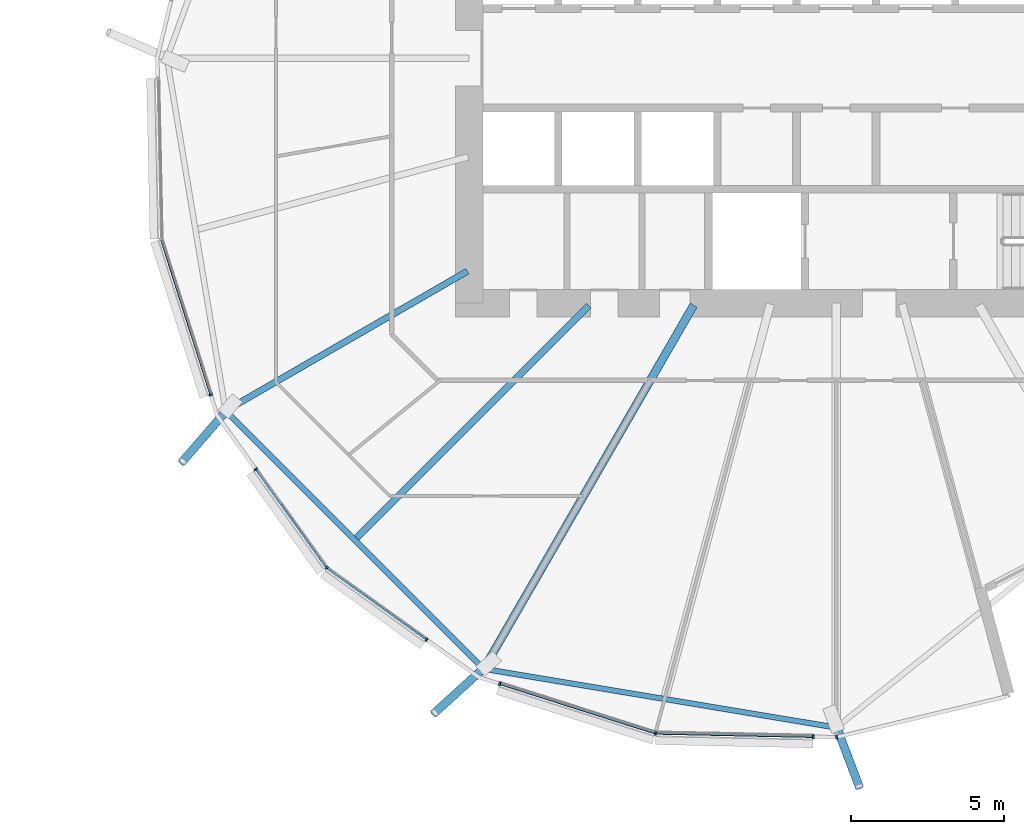
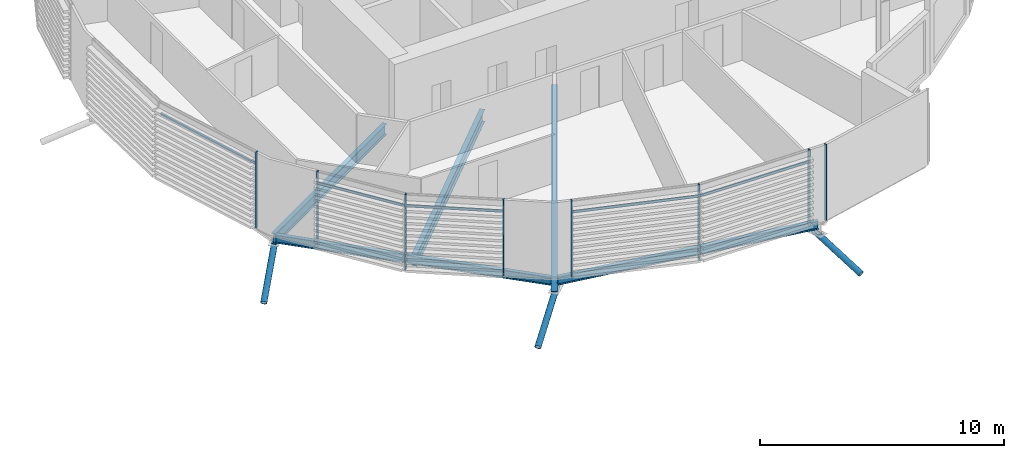
# One storey, part 11 of 38: 16 members, 5 beams, 1 element without a shape of its own.
"""IFC4 building model written with IfcOpenShell, lengths in metres."""

from ifc_helpers import new_model, si_unit, direction, frame, origin, origin_2d, place, context, subcontext, project, spatial, rectangle, hollow_circle, i_section, extrude, clip, halfspace, material, material_profile, profile_set, type_object, element, aggregate, save


model = new_model("IFC4")

# Units and contexts
model_context = context("Model", 3, precision=1e-05, world=origin(), true_north=direction((0.0, 1.0)))
body_context = subcontext(model_context, "Body", "Model", "MODEL_VIEW")
ifc_project = project(units=[si_unit("LENGTHUNIT", "METRE"), si_unit("AREAUNIT", "SQUARE_METRE"), si_unit("VOLUMEUNIT", "CUBIC_METRE"), si_unit("PLANEANGLEUNIT", "RADIAN"), si_unit("MASSUNIT", "GRAM", prefix="KILO")], contexts=[model_context])

# Site, building, storey
site_placement = place(None, origin())
site = spatial("IfcSite", under=ifc_project, at=site_placement, CompositionType="ELEMENT")
building_placement = place(site_placement, origin())
building = spatial("IfcBuilding", under=site, at=building_placement, Name="Rimbun Link Towers", CompositionType="ELEMENT")
storey_placement = place(building_placement, frame((0.0, 0.0, 68.0)))
storey = spatial("IfcBuildingStorey", under=building, at=storey_placement, Name="L16", CompositionType="ELEMENT", Elevation=68.0)

# Curtain wall, members
ifc_material_1 = material(Name="Aluminium 6063-T6 and low-iron glass", Category="aluminium")
curtain_wall_type = type_object("IfcCurtainWallType", Name="CW1 unitised vision wall", PredefinedType="NOTDEFINED", material=ifc_material_1)
curtain_wall_placement = place(storey_placement, origin())
curtain_wall = element("IfcCurtainWall", 1, at=curtain_wall_placement, inside=storey, type_object=curtain_wall_type, Name="CW1 L16 T2", PredefinedType="NOTDEFINED")
ifc_material_2 = material(Name="Aluminium 6063-T6", Category="aluminium")
ifc_material_profile_1 = material_profile(ifc_material_2, rectangle(XDim=0.1201171875, YDim=0.06005859375, at=origin_2d()), Name="MULLION 60X120")
ifc_profile_set_1 = profile_set([ifc_material_profile_1], Name="Aluminium 6063-T6")
member_type_1 = type_object("IfcMemberType", Name="CW1 mullion 60X120", PredefinedType="MULLION", material=ifc_profile_set_1)
member_1_placement = place(storey_placement, frame((11.30517578125, -10.99951171875, 0.0), z_axis=(0.0, 0.0, 1.0), x_axis=(-0.952969504125, -0.30306620433, 0.0)))
member_1 = element("IfcMember", 2, at=member_1_placement, type_object=member_type_1, Name="CW1 mullion", PredefinedType="MULLION", context=body_context, shape_type="SweptSolid", body=[
    extrude(rectangle(XDim=0.1201171875, YDim=0.06005859375, at=origin_2d()), origin(), (0.0, 0.0, 1.0), 3.800048828125),
])
member_2_placement = place(storey_placement, frame((15.094482421875, -16.655517578125, 0.0), z_axis=(0.0, 0.0, 1.0), x_axis=(-0.707106781187, -0.707106781187, 0.0)))
member_2 = element("IfcMember", 3, at=member_2_placement, type_object=member_type_1, Name="CW1 mullion", PredefinedType="MULLION", context=body_context, shape_type="SweptSolid", body=[
    extrude(rectangle(XDim=0.1201171875, YDim=0.06005859375, at=origin_2d()), origin(), (0.0, 0.0, 1.0), 3.800048828125),
])
member_3_placement = place(storey_placement, frame((12.779296875, -13.43017578125, 0.0), z_axis=(0.0, 0.0, 1.0), x_axis=(-0.812471013588, -0.583001588402, 0.0)))
member_3 = element("IfcMember", 4, at=member_3_placement, type_object=member_type_1, Name="CW1 mullion", PredefinedType="MULLION", context=body_context, shape_type="SweptSolid", body=[
    extrude(rectangle(XDim=0.1201171875, YDim=0.06005859375, at=origin_2d()), origin(), (0.0, 0.0, 1.0), 3.800048828125),
])
member_4_placement = place(storey_placement, frame((18.360595703125, -19.0, 0.0), z_axis=(0.0, 0.0, 1.0), x_axis=(-0.583001588402, -0.812471013588, 0.0)))
member_4 = element("IfcMember", 5, at=member_4_placement, type_object=member_type_1, Name="CW1 mullion", PredefinedType="MULLION", context=body_context, shape_type="SweptSolid", body=[
    extrude(rectangle(XDim=0.1201171875, YDim=0.06005859375, at=origin_2d()), origin(), (0.0, 0.0, 1.0), 3.800048828125),
])
member_5_placement = place(storey_placement, frame((25.843994140625, -22.06396484375, 0.0), z_axis=(0.0, 0.0, 1.0), x_axis=(-0.16374422533, -0.986502827503, 0.0)))
member_5 = element("IfcMember", 6, at=member_5_placement, type_object=member_type_1, Name="CW1 mullion", PredefinedType="MULLION", context=body_context, shape_type="SweptSolid", body=[
    extrude(rectangle(XDim=0.1201171875, YDim=0.06005859375, at=origin_2d()), origin(), (0.0, 0.0, 1.0), 3.800048828125),
])
member_6_placement = place(storey_placement, frame((20.75048828125, -20.44482421875, 0.0), z_axis=(0.0, 0.0, 1.0), x_axis=(-0.30306620433, -0.952969504125, 0.0)))
member_6 = element("IfcMember", 7, at=member_6_placement, type_object=member_type_1, Name="CW1 mullion", PredefinedType="MULLION", context=body_context, shape_type="SweptSolid", body=[
    extrude(rectangle(XDim=0.1201171875, YDim=0.06005859375, at=origin_2d()), origin(), (0.0, 0.0, 1.0), 3.800048828125),
])
member_7_placement = place(storey_placement, frame((30.9990234375, -22.173095703125, 0.0), z_axis=(0.0, 0.0, 1.0), x_axis=(-0.021059742681, -0.999778219026, 0.0)))
member_7 = element("IfcMember", 8, at=member_7_placement, type_object=member_type_1, Name="CW1 mullion", PredefinedType="MULLION", context=body_context, shape_type="SweptSolid", body=[
    extrude(rectangle(XDim=0.1201171875, YDim=0.06005859375, at=origin_2d()), origin(), (0.0, 0.0, 1.0), 3.800048828125),
])
member_8_placement = place(storey_placement, frame((31.763916015625, -22.187255859375, 0.0), z_axis=(0.0, 0.0, 1.0), x_axis=(0.232601207201, -0.972572197016, 0.0)))
member_8 = element("IfcMember", 9, at=member_8_placement, type_object=member_type_1, Name="CW1 mullion", PredefinedType="MULLION", context=body_context, shape_type="SweptSolid", body=[
    extrude(rectangle(XDim=0.1201171875, YDim=0.06005859375, at=origin_2d()), origin(), (0.0, 0.0, 1.0), 3.800048828125),
])
ifc_material_3 = material(Name="Aluminium 6063-T6", Category="aluminium")
ifc_material_profile_2 = material_profile(ifc_material_3, rectangle(XDim=0.06005859375, YDim=0.1201171875, at=origin_2d()), Name="TRANSOM 60X120")
ifc_profile_set_2 = profile_set([ifc_material_profile_2], Name="Aluminium 6063-T6")
member_type_2 = type_object("IfcMemberType", Name="CW1 transom 60X120", PredefinedType="USERDEFINED", material=ifc_profile_set_2)
member_9_placement = place(storey_placement, frame((11.298095703125, -10.97021484375, 3.199951171875), z_axis=(-0.303092876112, 0.952961021475, 0.0), x_axis=(-0.952961021475, -0.303092876112, 0.0)))
member_9 = element("IfcMember", 10, at=member_9_placement, type_object=member_type_2, Name="CW1 transom", ObjectType="TRANSOM", PredefinedType="USERDEFINED", context=body_context, shape_type="SweptSolid", body=[
    extrude(rectangle(XDim=0.06005859375, YDim=0.1201171875, at=origin_2d()), origin(), (0.0, 0.0, 1.0), 5.276123046875),
])
member_10_placement = place(storey_placement, frame((15.072265625, -16.62255859375, 3.199951171875), z_axis=(-0.582971655835, 0.812492491346, 0.0), x_axis=(-0.812492491346, -0.582971655835, 0.0)))
member_10 = element("IfcMember", 11, at=member_10_placement, type_object=member_type_2, Name="CW1 transom", ObjectType="TRANSOM", PredefinedType="USERDEFINED", context=body_context, shape_type="SweptSolid", body=[
    extrude(rectangle(XDim=0.06005859375, YDim=0.1201171875, at=origin_2d()), origin(), (0.0, 0.0, 1.0), 3.900634765625),
])
member_11_placement = place(storey_placement, frame((18.33740234375, -18.980712890625, 3.199951171875), z_axis=(-0.812516616043, 0.582938031574, 0.0), x_axis=(-0.582938031574, -0.812516616043, 0.0)))
member_11 = element("IfcMember", 12, at=member_11_placement, type_object=member_type_2, Name="CW1 transom", ObjectType="TRANSOM", PredefinedType="USERDEFINED", context=body_context, shape_type="SweptSolid", body=[
    extrude(rectangle(XDim=0.06005859375, YDim=0.1201171875, at=origin_2d()), origin(), (0.0, 0.0, 1.0), 3.95068359375),
])
member_12_placement = place(storey_placement, frame((25.8076171875, -22.051025390625, 3.199951171875), z_axis=(-0.952961021475, 0.303092876112, 0.0), x_axis=(-0.303092876112, -0.952961021475, 0.0)))
member_12 = element("IfcMember", 13, at=member_12_placement, type_object=member_type_2, Name="CW1 transom", ObjectType="TRANSOM", PredefinedType="USERDEFINED", context=body_context, shape_type="SweptSolid", body=[
    extrude(rectangle(XDim=0.06005859375, YDim=0.1201171875, at=origin_2d()), origin(), (0.0, 0.0, 1.0), 5.276123046875),
])
member_13_placement = place(storey_placement, frame((30.968994140625, -22.170654296875, 3.199951171875), z_axis=(-0.999778073515, 0.021066649432, 0.0), x_axis=(-0.021066649432, -0.999778073515, 0.0)))
member_13 = element("IfcMember", 14, at=member_13_placement, type_object=member_type_2, Name="CW1 transom", ObjectType="TRANSOM", PredefinedType="USERDEFINED", context=body_context, shape_type="SweptSolid", body=[
    extrude(rectangle(XDim=0.06005859375, YDim=0.1201171875, at=origin_2d()), origin(), (0.0, 0.0, 1.0), 5.087646484375),
])
aggregate(curtain_wall, [member_1, member_2, member_3, member_4, member_5, member_6, member_7, member_8, member_9, member_10, member_11, member_12, member_13])

# Members
ifc_material_4 = material(Name="Steel S355J2H", Category="steel")
ifc_material_profile_3 = material_profile(ifc_material_4, hollow_circle(Radius=0.136474609375, WallThickness=0.012451171875, at=origin_2d()), Name="CHS 273x12.5")
ifc_profile_set_3 = profile_set([ifc_material_profile_3], Name="Steel S355J2H")
member_type_3 = type_object("IfcMemberType", Name="Floor edge link CHS 273x12.5", PredefinedType="BRACE", material=ifc_profile_set_3)
member_14_placement = place(storey_placement, frame((11.839599609375, -11.495361328125, -0.811279296875), z_axis=(-0.566942336147, -0.656518849675, -0.497553401663), x_axis=(0.756852214071, -0.653586050995, 0.0)))
element("IfcMember", 15, at=member_14_placement, inside=storey, type_object=member_type_3, Name="Floor edge link T2 L16 11", PredefinedType="BRACE", context=body_context, shape_type="Clipping", body=[
    clip(extrude(hollow_circle(Radius=0.136474609375, WallThickness=0.012451171875, at=origin_2d()), frame((0.0, 0.0, -0.495849609375)), (0.0, 0.0, 1.0), 3.095947265625), halfspace(frame((0.0, 0.0, -0.2333984375), z_axis=(0.0, 0.86743334758, -0.497553401663)), False)),
])
member_15_placement = place(storey_placement, frame((20.254638671875, -19.910400390625, -1.042236328125), z_axis=(-0.653362111929, -0.593219588919, -0.470328045112), x_axis=(0.672209852855, -0.740360664625, 0.0)))
element("IfcMember", 16, at=member_15_placement, inside=storey, type_object=member_type_3, Name="Floor edge link T2 L16 13", PredefinedType="BRACE", context=body_context, shape_type="Clipping", body=[
    clip(extrude(hollow_circle(Radius=0.136474609375, WallThickness=0.012451171875, at=origin_2d()), frame((0.0, 0.0, -0.533447265625)), (0.0, 0.0, 1.0), 3.0625), halfspace(frame((0.0, 0.0, -0.2509765625), z_axis=(0.0, 0.882491660007, -0.470328045112)), False)),
])
member_16_placement = place(storey_placement, frame((31.75, -21.822021484375, -1.04736328125), z_axis=(0.326001505609, -0.858963144157, -0.394848496668), x_axis=(0.934929691224, 0.354833020544, 0.0)))
element("IfcMember", 17, at=member_16_placement, inside=storey, type_object=member_type_3, Name="Floor edge link T2 L16 15", PredefinedType="BRACE", context=body_context, shape_type="Clipping", body=[
    clip(extrude(hollow_circle(Radius=0.136474609375, WallThickness=0.012451171875, at=origin_2d()), frame((0.0, 0.0, -0.660400390625)), (0.0, 0.0, 1.0), 2.990234375), halfspace(frame((0.0, 0.0, -0.31201171875), z_axis=(0.0, 0.918746246076, -0.394848496668)), False)),
])

# Beams
ifc_material_5 = material(Name="Steel S355J2", Category="steel")
ifc_material_profile_4 = material_profile(ifc_material_5, i_section(OverallWidth=0.177978515625, OverallDepth=0.406494140625, WebThickness=0.0078125, FlangeThickness=0.0126953125, at=origin_2d()), Name="UB 406x178x60")
ifc_profile_set_4 = profile_set([ifc_material_profile_4], Name="Steel S355J2")
beam_type_1 = type_object("IfcBeamType", Name="UB 406x178x60", PredefinedType="BEAM", material=ifc_profile_set_4)
beam_1_placement = place(storey_placement, frame((11.87353515625, -11.59765625, -0.36328125), z_axis=(0.707106781187, -0.707106781187, 0.0), x_axis=(0.707106781187, 0.707106781187, 0.0)))
element("IfcBeam", 18, at=beam_1_placement, inside=storey, type_object=beam_type_1, Name="Edge beam T2 L16 11-13", PredefinedType="BEAM", context=body_context, shape_type="SweptSolid", body=[
    extrude(i_section(OverallWidth=0.177978515625, OverallDepth=0.406494140625, WebThickness=0.0078125, FlangeThickness=0.0126953125, at=origin_2d()), origin(), (0.0, 0.0, 1.0), 11.67822265625),
])
beam_2_placement = place(storey_placement, frame((20.37109375, -19.977294921875, -0.36328125), z_axis=(0.986419380736, -0.164246172888, 0.0), x_axis=(0.164246172888, 0.986419380736, 0.0)))
element("IfcBeam", 19, at=beam_2_placement, inside=storey, type_object=beam_type_1, Name="Edge beam T2 L16 13-15", PredefinedType="BEAM", context=body_context, shape_type="SweptSolid", body=[
    extrude(i_section(OverallWidth=0.177978515625, OverallDepth=0.406494140625, WebThickness=0.0078125, FlangeThickness=0.0126953125, at=origin_2d()), origin(), (0.0, 0.0, 1.0), 11.3994140625),
])
ifc_material_6 = material(Name="Steel S355J2", Category="steel")
ifc_material_profile_5 = material_profile(ifc_material_6, i_section(OverallWidth=0.209228515625, OverallDepth=0.533203125, WebThickness=0.010009765625, FlangeThickness=0.015625, at=origin_2d()), Name="UB 533x210x92")
ifc_profile_set_5 = profile_set([ifc_material_profile_5], Name="Steel S355J2")
beam_type_2 = type_object("IfcBeamType", Name="UB 533x210x92", PredefinedType="BEAM", material=ifc_profile_set_5)
beam_3_placement = place(storey_placement, frame((19.69677734375, -6.958984375, -0.426513671875), z_axis=(-0.866021140091, -0.50000738486, 0.0), x_axis=(0.50000738486, -0.866021140091, 0.0)))
element("IfcBeam", 20, at=beam_3_placement, inside=storey, type_object=beam_type_2, Name="Radial beam T2 L16 11", PredefinedType="BEAM", context=body_context, shape_type="SweptSolid", body=[
    extrude(i_section(OverallWidth=0.209228515625, OverallDepth=0.533203125, WebThickness=0.010009765625, FlangeThickness=0.015625, at=origin_2d()), origin(), (0.0, 0.0, 1.0), 9.122802734375),
])
ifc_material_7 = material(Name="Steel S355J2", Category="steel")
ifc_material_profile_6 = material_profile(ifc_material_7, i_section(OverallWidth=0.2275390625, OverallDepth=0.6025390625, WebThickness=0.010498046875, FlangeThickness=0.014892578125, at=origin_2d()), Name="UB 610x229x101")
ifc_profile_set_6 = profile_set([ifc_material_profile_6], Name="Steel S355J2")
beam_type_3 = type_object("IfcBeamType", Name="UB 610x229x101", PredefinedType="BEAM", material=ifc_profile_set_6)
beam_4_placement = place(storey_placement, frame((23.668701171875, -8.081298828125, -0.461181640625), z_axis=(-0.707106781187, -0.707106781187, 0.0), x_axis=(0.707106781187, -0.707106781187, 0.0)))
element("IfcBeam", 21, at=beam_4_placement, inside=storey, type_object=beam_type_3, Name="Radial beam T2 L16 12", PredefinedType="BEAM", context=body_context, shape_type="SweptSolid", body=[
    extrude(i_section(OverallWidth=0.2275390625, OverallDepth=0.6025390625, WebThickness=0.010498046875, FlangeThickness=0.014892578125, at=origin_2d()), origin(), (0.0, 0.0, 1.0), 10.737060546875),
])
ifc_material_8 = material(Name="Steel S355J2", Category="steel")
ifc_material_profile_7 = material_profile(ifc_material_8, i_section(OverallWidth=0.2666015625, OverallDepth=0.76220703125, WebThickness=0.014404296875, FlangeThickness=0.021484375, at=origin_2d()), Name="UB 762x267x173")
ifc_profile_set_7 = profile_set([ifc_material_profile_7], Name="Steel S355J2")
beam_type_4 = type_object("IfcBeamType", Name="UB 762x267x173", PredefinedType="BEAM", material=ifc_profile_set_7)
beam_5_placement = place(storey_placement, frame((27.09228515625, -8.0673828125, -0.541015625), z_axis=(-0.500007303237, -0.866021187218, 0.0), x_axis=(0.866021187218, -0.500007303237, 0.0)))
element("IfcBeam", 22, at=beam_5_placement, inside=storey, type_object=beam_type_4, Name="Radial beam T2 L16 13", PredefinedType="BEAM", context=body_context, shape_type="SweptSolid", body=[
    extrude(i_section(OverallWidth=0.2666015625, OverallDepth=0.76220703125, WebThickness=0.014404296875, FlangeThickness=0.021484375, at=origin_2d()), origin(), (0.0, 0.0, 1.0), 13.725341796875),
])

save(model, "model.ifc")
